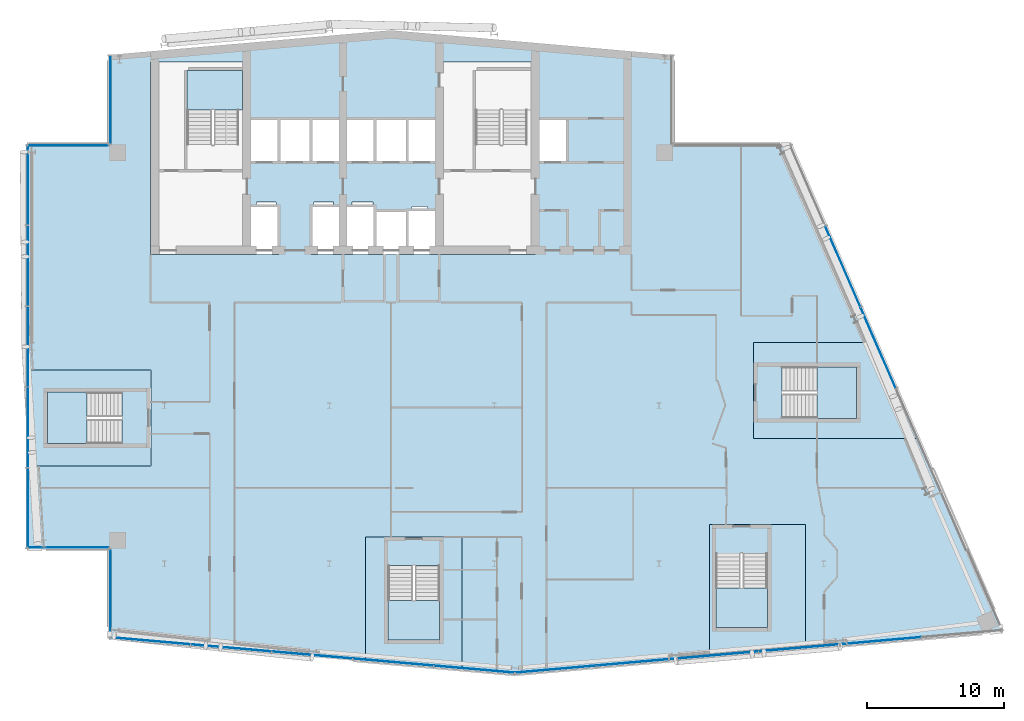
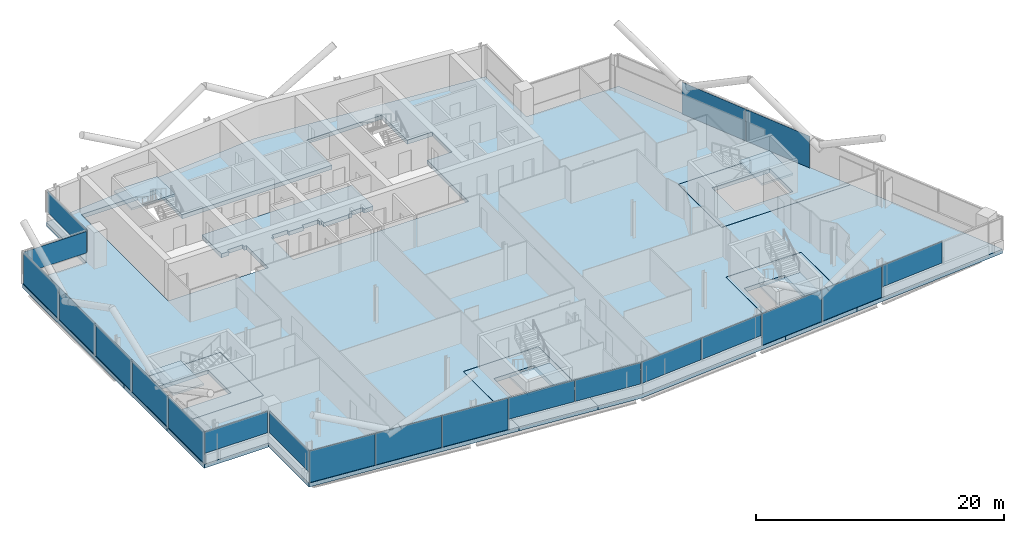
# One storey, part 13 of 28: 21 plates, 10 slabs, 13 elements without a shape of their own.
"""IFC4 building model written with IfcOpenShell, lengths in metres."""

from ifc_helpers import new_model, si_unit, direction, frame, origin, origin_2d, place, context, subcontext, project, spatial, polyline, rectangle, outline, extrude, material, layer, layer_set, type_object, element, aggregate, save


model = new_model("IFC4")

# Units and contexts
model_context = context("Model", 3, precision=1e-05, world=origin(), true_north=direction((0.0, 1.0)))
body_context = subcontext(model_context, "Body", "Model", "MODEL_VIEW")
ifc_project = project(units=[si_unit("LENGTHUNIT", "METRE"), si_unit("AREAUNIT", "SQUARE_METRE"), si_unit("VOLUMEUNIT", "CUBIC_METRE"), si_unit("PLANEANGLEUNIT", "RADIAN"), si_unit("MASSUNIT", "GRAM", prefix="KILO")], contexts=[model_context])

# Site, building, storey
site_placement = place(None, origin())
site = spatial("IfcSite", under=ifc_project, at=site_placement, CompositionType="ELEMENT")
building_placement = place(site_placement, origin())
building = spatial("IfcBuilding", under=site, at=building_placement, Name="Wharfspan Tower", CompositionType="ELEMENT")
storey_placement = place(building_placement, frame((0.0, 0.0, 253.899902)))
storey = spatial("IfcBuildingStorey", under=building, at=storey_placement, Name="L64", CompositionType="ELEMENT", Elevation=253.899902)

# Curtain wall, plates
ifc_material_1 = material(Name="Aluminium 6063-T6", Category="aluminium")
curtain_wall_type_1 = type_object("IfcCurtainWallType", Name="CURTAIN WALL FACETED FRONT", PredefinedType="NOTDEFINED", material=ifc_material_1)
curtain_wall_1_placement = place(storey_placement, origin())
curtain_wall_1 = element("IfcCurtainWall", 1, at=curtain_wall_1_placement, inside=storey, type_object=curtain_wall_type_1, Name="Curtain wall S1", PredefinedType="NOTDEFINED")
ifc_material_2 = material(Name="Glass clear low-iron double glazing", Category="glass")
ifc_layer_1 = layer(ifc_material_2, 0.040039)
ifc_layer_set_1 = layer_set([ifc_layer_1], Name="Glass clear low-iron double glazing")
plate_type_1 = type_object("IfcPlateType", Name="GLASS PANEL FACETED FRONT 40", PredefinedType="CURTAIN_PANEL", material=ifc_layer_set_1)
plate_1_placement = place(storey_placement, frame((40.655273, 4.328125, 1.0), z_axis=(0.0, 0.0, 1.0), x_axis=(0.996197, -0.087156, 0.0)))
plate_1 = element("IfcPlate", 2, at=plate_1_placement, type_object=plate_type_1, Name="Curtain wall S1 panel 4", PredefinedType="CURTAIN_PANEL", context=body_context, shape_type="SweptSolid", body=[
    extrude(rectangle(XDim=5.862549, YDim=0.040039, at=origin_2d()), origin(), (0.0, 0.0, 1.0), 2.120117),
])
plate_2_placement = place(storey_placement, frame((46.540283, 3.813232, 1.0), z_axis=(0.0, 0.0, 1.0), x_axis=(0.996197, -0.087156, 0.0)))
plate_2 = element("IfcPlate", 3, at=plate_2_placement, type_object=plate_type_1, Name="Curtain wall S1 panel 5", PredefinedType="CURTAIN_PANEL", context=body_context, shape_type="SweptSolid", body=[
    extrude(rectangle(XDim=5.83252, YDim=0.040039, at=origin_2d()), origin(), (0.0, 0.0, 1.0), 2.120117),
])

curtain_wall_2_placement = place(storey_placement, origin())
curtain_wall_2 = element("IfcCurtainWall", 4, at=curtain_wall_2_placement, inside=storey, type_object=curtain_wall_type_1, Name="Curtain wall S2", PredefinedType="NOTDEFINED")
plate_3_placement = place(storey_placement, frame((52.468018, 3.813965, 1.0), z_axis=(0.0, 0.0, 1.0), x_axis=(0.996197, 0.087156, 0.0)))
plate_3 = element("IfcPlate", 5, at=plate_3_placement, type_object=plate_type_1, Name="Curtain wall S2 panel 1", PredefinedType="CURTAIN_PANEL", context=body_context, shape_type="SweptSolid", body=[
    extrude(rectangle(XDim=5.849365, YDim=0.040039, at=origin_2d()), origin(), (0.0, 0.0, 1.0), 2.120117),
])
plate_4_placement = place(storey_placement, frame((58.369873, 4.330322, 1.0), z_axis=(0.0, 0.0, 1.0), x_axis=(0.996197, 0.087156, 0.0)))
plate_4 = element("IfcPlate", 6, at=plate_4_placement, type_object=plate_type_1, Name="Curtain wall S2 panel 2", PredefinedType="CURTAIN_PANEL", context=body_context, shape_type="SweptSolid", body=[
    extrude(rectangle(XDim=5.87915, YDim=0.040039, at=origin_2d()), origin(), (0.0, 0.0, 1.0), 2.120117),
])
plate_5_placement = place(storey_placement, frame((76.119873, 5.883301, 1.0), z_axis=(0.0, 0.0, 1.0), x_axis=(0.996197, 0.087156, 0.0)))
plate_5 = element("IfcPlate", 7, at=plate_5_placement, type_object=plate_type_1, Name="Curtain wall S2 panel 5", PredefinedType="CURTAIN_PANEL", context=body_context, shape_type="SweptSolid", body=[
    extrude(rectangle(XDim=5.87915, YDim=0.040039, at=origin_2d()), origin(), (0.0, 0.0, 1.0), 2.120117),
])

# Curtain wall, plate
curtain_wall_type_2 = type_object("IfcCurtainWallType", Name="CURTAIN WALL PROW AND END", PredefinedType="NOTDEFINED", material=ifc_material_1)
curtain_wall_3_placement = place(storey_placement, origin())
curtain_wall_3 = element("IfcCurtainWall", 8, at=curtain_wall_3_placement, inside=storey, type_object=curtain_wall_type_2, Name="Curtain wall NRW-V", PredefinedType="NOTDEFINED")
ifc_layer_2 = layer(ifc_material_2, 0.040039)
ifc_layer_set_2 = layer_set([ifc_layer_2], Name="Glass clear low-iron double glazing")
plate_type_2 = type_object("IfcPlateType", Name="GLASS PANEL PROW AND END 40", PredefinedType="CURTAIN_PANEL", material=ifc_layer_set_2)
plate_6_placement = place(storey_placement, frame((20.080078, 45.262451, 1.0), z_axis=(0.0, 0.0, 1.0), x_axis=(0.0, -1.0, 0.0)))
plate_6 = element("IfcPlate", 9, at=plate_6_placement, type_object=plate_type_2, Name="Curtain wall NRW-V panel 1", PredefinedType="CURTAIN_PANEL", context=body_context, shape_type="SweptSolid", body=[
    extrude(rectangle(XDim=6.405029, YDim=0.040039, at=origin_2d()), origin(), (0.0, 0.0, 1.0), 2.120117),
])
aggregate(curtain_wall_3, [plate_6])

curtain_wall_4_placement = place(storey_placement, origin())
curtain_wall_4 = element("IfcCurtainWall", 10, at=curtain_wall_4_placement, inside=storey, type_object=curtain_wall_type_2, Name="Curtain wall NRW-H", PredefinedType="NOTDEFINED")
plate_7_placement = place(storey_placement, frame((17.0, 41.919922, 1.0), z_axis=(0.0, 0.0, 1.0), x_axis=(-1.0, 0.0, 0.0)))
plate_7 = element("IfcPlate", 11, at=plate_7_placement, type_object=plate_type_2, Name="Curtain wall NRW-H panel 1", PredefinedType="CURTAIN_PANEL", context=body_context, shape_type="SweptSolid", body=[
    extrude(rectangle(XDim=5.879883, YDim=0.040039, at=origin_2d()), origin(), (0.0, 0.0, 1.0), 2.120117),
])
aggregate(curtain_wall_4, [plate_7])

curtain_wall_5_placement = place(storey_placement, origin())
curtain_wall_5 = element("IfcCurtainWall", 12, at=curtain_wall_5_placement, inside=storey, type_object=curtain_wall_type_2, Name="Curtain wall NFW-H", PredefinedType="NOTDEFINED")
plate_8_placement = place(storey_placement, frame((17.0, 12.679932, 1.0), z_axis=(0.0, 0.0, 1.0), x_axis=(1.0, 0.0, 0.0)))
plate_8 = element("IfcPlate", 13, at=plate_8_placement, type_object=plate_type_2, Name="Curtain wall NFW-H panel 1", PredefinedType="CURTAIN_PANEL", context=body_context, shape_type="SweptSolid", body=[
    extrude(rectangle(XDim=5.879883, YDim=0.040039, at=origin_2d()), origin(), (0.0, 0.0, 1.0), 2.120117),
])
aggregate(curtain_wall_5, [plate_8])

curtain_wall_6_placement = place(storey_placement, origin())
curtain_wall_6 = element("IfcCurtainWall", 14, at=curtain_wall_6_placement, inside=storey, type_object=curtain_wall_type_2, Name="Curtain wall NFW-V", PredefinedType="NOTDEFINED")
plate_9_placement = place(storey_placement, frame((20.080078, 9.337646, 1.0), z_axis=(0.0, 0.0, 1.0), x_axis=(0.0, -1.0, 0.0)))
plate_9 = element("IfcPlate", 15, at=plate_9_placement, type_object=plate_type_2, Name="Curtain wall NFW-V panel 1", PredefinedType="CURTAIN_PANEL", context=body_context, shape_type="SweptSolid", body=[
    extrude(rectangle(XDim=6.405029, YDim=0.040039, at=origin_2d()), origin(), (0.0, 0.0, 1.0), 2.120117),
])
aggregate(curtain_wall_6, [plate_9])

# Plate
ifc_material_3 = material(Name="Aluminium composite opaque insulated panel", Category="aluminium")
ifc_layer_3 = layer(ifc_material_3, 0.040039)
ifc_layer_set_3 = layer_set([ifc_layer_3], Name="Aluminium composite opaque insulated panel")
plate_type_3 = type_object("IfcPlateType", Name="INFILL PANEL FACETED FRONT OPAQUE 40", PredefinedType="SHEET", material=ifc_layer_set_3)
plate_10_placement = place(storey_placement, frame((22.970215, 5.875488, 0.0), z_axis=(0.0, 0.0, 1.0), x_axis=(0.996197, -0.087156, 0.0)))
plate_10 = element("IfcPlate", 16, at=plate_10_placement, type_object=plate_type_3, Name="Curtain wall S1 panel 1", PredefinedType="SHEET", context=body_context, shape_type="SweptSolid", body=[
    extrude(rectangle(XDim=5.83252, YDim=0.040039, at=origin_2d()), origin(), (0.0, 0.0, 1.0), 3.120117),
])

plate_11_placement = place(storey_placement, frame((28.855225, 5.360596, 0.0), z_axis=(0.0, 0.0, 1.0), x_axis=(0.996197, -0.087156, 0.0)))
plate_11 = element("IfcPlate", 17, at=plate_11_placement, type_object=plate_type_3, Name="Curtain wall S1 panel 2", PredefinedType="SHEET", context=body_context, shape_type="SweptSolid", body=[
    extrude(rectangle(XDim=5.862549, YDim=0.040039, at=origin_2d()), origin(), (0.0, 0.0, 1.0), 3.120117),
])

plate_12_placement = place(storey_placement, frame((34.755127, 4.844482, 0.0), z_axis=(0.0, 0.0, 1.0), x_axis=(0.996197, -0.087156, 0.0)))
plate_12 = element("IfcPlate", 18, at=plate_12_placement, type_object=plate_type_3, Name="Curtain wall S1 panel 3", PredefinedType="SHEET", context=body_context, shape_type="SweptSolid", body=[
    extrude(rectangle(XDim=5.862549, YDim=0.040039, at=origin_2d()), origin(), (0.0, 0.0, 1.0), 3.120117),
])

aggregate(curtain_wall_1, [plate_10, plate_11, plate_12, plate_1, plate_2])

plate_13_placement = place(storey_placement, frame((64.286377, 4.848145, 0.0), z_axis=(0.0, 0.0, 1.0), x_axis=(0.996197, 0.087156, 0.0)))
plate_13 = element("IfcPlate", 19, at=plate_13_placement, type_object=plate_type_3, Name="Curtain wall S2 panel 3", PredefinedType="SHEET", context=body_context, shape_type="SweptSolid", body=[
    extrude(rectangle(XDim=5.87915, YDim=0.040039, at=origin_2d()), origin(), (0.0, 0.0, 1.0), 3.120117),
])

plate_14_placement = place(storey_placement, frame((70.203125, 5.365723, 0.0), z_axis=(0.0, 0.0, 1.0), x_axis=(0.996197, 0.087156, 0.0)))
plate_14 = element("IfcPlate", 20, at=plate_14_placement, type_object=plate_type_3, Name="Curtain wall S2 panel 4", PredefinedType="SHEET", context=body_context, shape_type="SweptSolid", body=[
    extrude(rectangle(XDim=5.87915, YDim=0.040039, at=origin_2d()), origin(), (0.0, 0.0, 1.0), 3.120117),
])

aggregate(curtain_wall_2, [plate_3, plate_4, plate_13, plate_14, plate_5])

# Curtain wall, plates
curtain_wall_7_placement = place(storey_placement, origin())
curtain_wall_7 = element("IfcCurtainWall", 21, at=curtain_wall_7_placement, inside=storey, type_object=curtain_wall_type_2, Name="Curtain wall E", PredefinedType="NOTDEFINED")
ifc_layer_4 = layer(ifc_material_3, 0.040039)
ifc_layer_set_4 = layer_set([ifc_layer_4], Name="Aluminium composite opaque insulated panel")
plate_type_4 = type_object("IfcPlateType", Name="INFILL PANEL PROW AND END OPAQUE 40", PredefinedType="SHEET", material=ifc_layer_set_4)
plate_15_placement = place(storey_placement, frame((75.948486, 27.218018, 0.0), z_axis=(0.0, 0.0, 1.0), x_axis=(-0.398727, 0.917072, 0.0)))
plate_15 = element("IfcPlate", 22, at=plate_15_placement, type_object=plate_type_4, Name="Curtain wall E panel 4", PredefinedType="SHEET", context=body_context, shape_type="SweptSolid", body=[
    extrude(rectangle(XDim=6.373535, YDim=0.040039, at=origin_2d()), origin(), (0.0, 0.0, 1.0), 3.120117),
])
plate_16_placement = place(storey_placement, frame((73.383057, 33.118164, 0.0), z_axis=(0.0, 0.0, 1.0), x_axis=(-0.398727, 0.917072, 0.0)))
plate_16 = element("IfcPlate", 23, at=plate_16_placement, type_object=plate_type_4, Name="Curtain wall E panel 5", PredefinedType="SHEET", context=body_context, shape_type="SweptSolid", body=[
    extrude(rectangle(XDim=6.373535, YDim=0.040039, at=origin_2d()), origin(), (0.0, 0.0, 1.0), 3.120117),
])
aggregate(curtain_wall_7, [plate_15, plate_16])

curtain_wall_8_placement = place(storey_placement, origin())
curtain_wall_8 = element("IfcCurtainWall", 24, at=curtain_wall_8_placement, inside=storey, type_object=curtain_wall_type_2, Name="Curtain wall W", PredefinedType="NOTDEFINED")
plate_17_placement = place(storey_placement, frame((14.080078, 39.044922, 0.0), z_axis=(0.0, 0.0, 1.0), x_axis=(0.0, -1.0, 0.0)))
plate_17 = element("IfcPlate", 25, at=plate_17_placement, type_object=plate_type_4, Name="Curtain wall W panel 1", PredefinedType="SHEET", context=body_context, shape_type="SweptSolid", body=[
    extrude(rectangle(XDim=5.790039, YDim=0.040039, at=origin_2d()), origin(), (0.0, 0.0, 1.0), 3.120117),
])
plate_18_placement = place(storey_placement, frame((14.080078, 33.179932, 0.0), z_axis=(0.0, 0.0, 1.0), x_axis=(0.0, -1.0, 0.0)))
plate_18 = element("IfcPlate", 26, at=plate_18_placement, type_object=plate_type_4, Name="Curtain wall W panel 2", PredefinedType="SHEET", context=body_context, shape_type="SweptSolid", body=[
    extrude(rectangle(XDim=5.820068, YDim=0.040039, at=origin_2d()), origin(), (0.0, 0.0, 1.0), 3.120117),
])
plate_19_placement = place(storey_placement, frame((14.080078, 27.300049, 0.0), z_axis=(0.0, 0.0, 1.0), x_axis=(0.0, -1.0, 0.0)))
plate_19 = element("IfcPlate", 27, at=plate_19_placement, type_object=plate_type_4, Name="Curtain wall W panel 3", PredefinedType="SHEET", context=body_context, shape_type="SweptSolid", body=[
    extrude(rectangle(XDim=5.820068, YDim=0.040039, at=origin_2d()), origin(), (0.0, 0.0, 1.0), 3.120117),
])
plate_20_placement = place(storey_placement, frame((14.080078, 21.419922, 0.0), z_axis=(0.0, 0.0, 1.0), x_axis=(0.0, -1.0, 0.0)))
plate_20 = element("IfcPlate", 28, at=plate_20_placement, type_object=plate_type_4, Name="Curtain wall W panel 4", PredefinedType="SHEET", context=body_context, shape_type="SweptSolid", body=[
    extrude(rectangle(XDim=5.820068, YDim=0.040039, at=origin_2d()), origin(), (0.0, 0.0, 1.0), 3.120117),
])
plate_21_placement = place(storey_placement, frame((14.080078, 15.554932, 0.0), z_axis=(0.0, 0.0, 1.0), x_axis=(0.0, -1.0, 0.0)))
plate_21 = element("IfcPlate", 29, at=plate_21_placement, type_object=plate_type_4, Name="Curtain wall W panel 5", PredefinedType="SHEET", context=body_context, shape_type="SweptSolid", body=[
    extrude(rectangle(XDim=5.790039, YDim=0.040039, at=origin_2d()), origin(), (0.0, 0.0, 1.0), 3.120117),
])
aggregate(curtain_wall_8, [plate_17, plate_18, plate_19, plate_20, plate_21])

# Slabs
ifc_material_4 = material(Name="Concrete C40/50", Category="concrete")
ifc_layer_5 = layer(ifc_material_4, 0.399902)
ifc_layer_set_5 = layer_set([ifc_layer_5], Name="Concrete C40/50")
slab_type_1 = type_object("IfcSlabType", Name="Post-tensioned flat slab 400", PredefinedType="FLOOR", material=ifc_layer_set_5)
slab_1_placement = place(storey_placement, frame((0.0, 0.0, -0.400146)))
element("IfcSlab", 30, at=slab_1_placement, inside=storey, type_object=slab_type_1, Name="Floor slab L64", PredefinedType="FLOOR", context=body_context, shape_type="SweptSolid", body=[
    extrude(outline(polyline([(38.64209, 4.444092), (38.64209, 13.453125), (45.662109, 13.453125), (45.662109, 3.829834), (49.5, 3.494141), (63.658691, 4.73291), (63.658691, 14.356201), (70.678711, 14.356201), (70.678711, 5.347168), (85.0, 6.600098), (78.91748, 20.590088), (66.859619, 20.590088), (66.859619, 27.610107), (75.865234, 27.610107), (69.608643, 42.0), (61.0, 42.0), (61.0, 48.524902), (40.5, 50.318359), (20.0, 48.524902), (20.0, 42.0), (14.0, 42.0), (14.0, 25.610107), (23.01001, 25.610107), (23.01001, 18.590088), (14.0, 18.590088), (14.0, 12.600098), (20.0, 12.600098), (20.0, 6.075195), (38.64209, 4.444092)]), holes=[polyline([(32.126709, 37.560059), (32.343262, 37.560059), (32.343262, 33.98999), (22.98999, 33.98999), (22.98999, 48.01001), (30.01001, 48.01001), (30.01001, 43.909912), (43.98999, 43.909912), (43.98999, 48.01001), (51.01001, 48.01001), (51.01001, 43.909912), (53.343262, 43.909912), (53.343262, 40.689941), (51.01001, 40.689941), (51.01001, 33.98999), (34.656738, 33.98999), (34.656738, 37.560059), (34.873291, 37.560059), (34.873291, 37.810059), (36.293213, 37.810059), (36.293213, 37.560059), (37.666748, 37.560059), (37.666748, 37.810059), (39.166748, 37.810059), (39.166748, 37.560059), (39.343262, 37.560059), (39.343262, 37.209961), (41.656738, 37.209961), (41.656738, 37.26001), (42.023193, 37.26001), (42.023193, 37.51001), (43.143311, 37.51001), (43.143311, 37.26001), (43.98999, 37.26001), (43.98999, 40.689941), (30.01001, 40.689941), (30.01001, 37.560059), (30.706787, 37.560059), (30.706787, 37.810059), (32.126709, 37.810059), (32.126709, 37.560059)])]), origin(), (0.0, 0.0, 1.0), 0.400146),
])
slab_2_placement = place(storey_placement, frame((0.0, 0.0, -0.400146)))
element("IfcSlab", 31, at=slab_2_placement, inside=storey, type_object=slab_type_1, Name="Core floor slab L64 part 1", PredefinedType="FLOOR", context=body_context, shape_type="SweptSolid", body=[
    extrude(outline(polyline([(23.0, 19.925049), (23.0, 24.274902), (23.0, 25.600098), (14.0, 25.600098), (14.0, 18.600098), (23.0, 18.600098), (23.0, 19.925049)]), holes=[polyline([(20.899902, 23.977051), (20.900146, 23.977051), (20.900391, 23.977051), (20.900635, 23.976807), (20.900879, 23.976807), (20.900879, 23.976807), (20.901123, 23.976807), (20.901367, 23.976562), (20.901367, 23.976318), (20.901611, 23.976318), (20.901611, 23.976074), (20.901855, 23.97583), (20.901855, 23.97583), (20.901855, 23.975586), (20.9021, 23.975342), (20.9021, 23.975098), (20.9021, 23.975098), (20.9021, 20.225098), (20.9021, 20.224854), (20.9021, 20.224609), (20.901855, 20.224365), (20.901855, 20.224121), (20.901855, 20.224121), (20.901611, 20.223877), (20.901611, 20.223633), (20.901367, 20.223633), (20.901367, 20.223389), (20.901123, 20.223389), (20.900879, 20.223145), (20.900879, 20.223145), (20.900635, 20.223145), (20.900391, 20.2229), (20.900146, 20.2229), (20.899902, 20.2229), (15.5, 20.2229), (15.499756, 20.2229), (15.499512, 20.2229), (15.499512, 20.223145), (15.499268, 20.223145), (15.499023, 20.223145), (15.498779, 20.223389), (15.498779, 20.223389), (15.498535, 20.223633), (15.498535, 20.223633), (15.498291, 20.223877), (15.498291, 20.224121), (15.498291, 20.224121), (15.498047, 20.224365), (15.498047, 20.224609), (15.498047, 20.224854), (15.498047, 20.225098), (15.498047, 23.975098), (15.498047, 23.975098), (15.498047, 23.975342), (15.498047, 23.975586), (15.498291, 23.97583), (15.498291, 23.97583), (15.498291, 23.976074), (15.498535, 23.976318), (15.498535, 23.976318), (15.498779, 23.976562), (15.498779, 23.976807), (15.499023, 23.976807), (15.499268, 23.976807), (15.499512, 23.976807), (15.499512, 23.977051), (15.499756, 23.977051), (15.5, 23.977051), (20.899902, 23.977051)])]), origin(), (0.0, 0.0, 1.0), 0.400146),
])
slab_3_placement = place(storey_placement, frame((0.0, 0.0, -0.400146)))
element("IfcSlab", 32, at=slab_3_placement, inside=storey, type_object=slab_type_1, Name="Core floor slab L64 part 3", PredefinedType="FLOOR", context=body_context, shape_type="SweptSolid", body=[
    extrude(outline(polyline([(44.327148, 13.443115), (39.977051, 13.443115), (38.6521, 13.443115), (38.6521, 4.443115), (45.6521, 3.830811), (45.6521, 13.443115), (44.327148, 13.443115)]), holes=[polyline([(40.275146, 11.343262), (40.275146, 11.343506), (40.275146, 11.343506), (40.275146, 11.34375), (40.275391, 11.343994), (40.275391, 11.344238), (40.275391, 11.344238), (40.275635, 11.344482), (40.275635, 11.344482), (40.275879, 11.344727), (40.275879, 11.344971), (40.276123, 11.344971), (40.276367, 11.345215), (40.276611, 11.345215), (40.276611, 11.345215), (40.276855, 11.345215), (40.2771, 11.345215), (44.0271, 11.345215), (44.027344, 11.345215), (44.027588, 11.345215), (44.027588, 11.345215), (44.027832, 11.345215), (44.028076, 11.344971), (44.02832, 11.344971), (44.02832, 11.344727), (44.028564, 11.344482), (44.028809, 11.344482), (44.028809, 11.344238), (44.028809, 11.344238), (44.029053, 11.343994), (44.029053, 11.34375), (44.029053, 11.343506), (44.029053, 11.343506), (44.029053, 11.343262), (44.029053, 5.943115), (44.029053, 5.943115), (44.029053, 5.942871), (44.029053, 5.942627), (44.029053, 5.942383), (44.028809, 5.942383), (44.028809, 5.942139), (44.028809, 5.941895), (44.028564, 5.941895), (44.02832, 5.94165), (44.02832, 5.94165), (44.028076, 5.941406), (44.027832, 5.941406), (44.027588, 5.941406), (44.027588, 5.941406), (44.027344, 5.941162), (44.0271, 5.941162), (40.2771, 5.941162), (40.276855, 5.941162), (40.276611, 5.941406), (40.276611, 5.941406), (40.276367, 5.941406), (40.276123, 5.941406), (40.275879, 5.94165), (40.275879, 5.94165), (40.275635, 5.941895), (40.275635, 5.941895), (40.275391, 5.942139), (40.275391, 5.942383), (40.275391, 5.942383), (40.275146, 5.942627), (40.275146, 5.942871), (40.275146, 5.943115), (40.275146, 5.943115), (40.275146, 11.343262)])]), origin(), (0.0, 0.0, 1.0), 0.400146),
])
slab_4_placement = place(storey_placement, frame((0.0, 0.0, -0.400146)))
element("IfcSlab", 33, at=slab_4_placement, inside=storey, type_object=slab_type_1, Name="Core floor slab L64 part 4", PredefinedType="FLOOR", context=body_context, shape_type="SweptSolid", body=[
    extrude(outline(polyline([(70.668701, 14.346191), (68.193848, 14.346191), (63.84375, 14.346191), (63.668701, 14.346191), (63.668701, 4.733887), (70.668701, 5.346191), (70.668701, 14.346191)]), holes=[polyline([(64.141846, 12.246094), (64.141846, 12.246338), (64.141846, 12.246582), (64.141846, 12.246826), (64.14209, 12.246826), (64.14209, 12.24707), (64.14209, 12.247314), (64.142334, 12.247559), (64.142334, 12.247559), (64.142578, 12.247803), (64.142578, 12.247803), (64.142822, 12.247803), (64.143066, 12.248047), (64.143311, 12.248047), (64.143311, 12.248047), (64.143555, 12.248291), (64.143799, 12.248291), (67.893799, 12.248291), (67.894043, 12.248291), (67.894287, 12.248047), (67.894287, 12.248047), (67.894531, 12.248047), (67.894775, 12.247803), (67.89502, 12.247803), (67.89502, 12.247803), (67.895264, 12.247559), (67.895508, 12.247559), (67.895508, 12.247314), (67.895508, 12.24707), (67.895752, 12.246826), (67.895752, 12.246826), (67.895752, 12.246582), (67.895752, 12.246338), (67.895752, 12.246094), (67.895752, 6.846191), (67.895752, 6.845947), (67.895752, 6.845703), (67.895752, 6.845703), (67.895752, 6.845459), (67.895508, 6.845215), (67.895508, 6.845215), (67.895508, 6.844971), (67.895264, 6.844727), (67.89502, 6.844482), (67.89502, 6.844482), (67.894775, 6.844482), (67.894531, 6.844238), (67.894287, 6.844238), (67.894287, 6.844238), (67.894043, 6.844238), (67.893799, 6.844238), (64.143799, 6.844238), (64.143555, 6.844238), (64.143311, 6.844238), (64.143311, 6.844238), (64.143066, 6.844238), (64.142822, 6.844482), (64.142578, 6.844482), (64.142578, 6.844482), (64.142334, 6.844727), (64.142334, 6.844971), (64.14209, 6.845215), (64.14209, 6.845215), (64.14209, 6.845459), (64.141846, 6.845703), (64.141846, 6.845703), (64.141846, 6.845947), (64.141846, 6.846191), (64.141846, 12.246094)])]), origin(), (0.0, 0.0, 1.0), 0.400146),
])
slab_5_placement = place(storey_placement, frame((0.0, 0.0, -0.400146)))
element("IfcSlab", 34, at=slab_5_placement, inside=storey, type_object=slab_type_1, Name="Core floor slab L64 part 5", PredefinedType="FLOOR", context=body_context, shape_type="SweptSolid", body=[
    extrude(outline(polyline([(75.869629, 27.600098), (66.869629, 27.600098), (66.869629, 26.125), (66.869629, 21.774902), (66.869629, 20.600098), (78.913086, 20.600098), (75.869629, 27.600098)]), holes=[polyline([(68.967529, 25.824951), (68.967529, 25.825195), (68.967529, 25.825439), (68.967773, 25.825684), (68.967773, 25.825684), (68.967773, 25.825928), (68.968018, 25.826172), (68.968018, 25.826416), (68.968262, 25.826416), (68.968262, 25.826416), (68.968506, 25.82666), (68.968506, 25.826904), (68.96875, 25.826904), (68.968994, 25.826904), (68.969238, 25.826904), (68.969482, 25.826904), (68.969482, 25.826904), (74.369629, 25.826904), (74.369873, 25.826904), (74.370117, 25.826904), (74.370117, 25.826904), (74.370361, 25.826904), (74.370605, 25.826904), (74.370605, 25.82666), (74.37085, 25.826416), (74.371094, 25.826416), (74.371094, 25.826416), (74.371094, 25.826172), (74.371338, 25.825928), (74.371338, 25.825684), (74.371582, 25.825684), (74.371582, 25.825439), (74.371582, 25.825195), (74.371582, 25.824951), (74.371582, 22.074951), (74.371582, 22.074707), (74.371582, 22.074707), (74.371582, 22.074463), (74.371338, 22.074219), (74.371338, 22.074219), (74.371094, 22.073975), (74.371094, 22.07373), (74.371094, 22.073486), (74.37085, 22.073486), (74.370605, 22.073242), (74.370605, 22.073242), (74.370361, 22.073242), (74.370117, 22.072998), (74.370117, 22.072998), (74.369873, 22.072998), (74.369629, 22.072998), (68.969482, 22.072998), (68.969482, 22.072998), (68.969238, 22.072998), (68.968994, 22.072998), (68.96875, 22.073242), (68.968506, 22.073242), (68.968506, 22.073242), (68.968262, 22.073486), (68.968262, 22.073486), (68.968018, 22.07373), (68.968018, 22.073975), (68.967773, 22.074219), (68.967773, 22.074219), (68.967773, 22.074463), (68.967529, 22.074707), (68.967529, 22.074707), (68.967529, 22.074951), (68.967529, 25.824951)])]), origin(), (0.0, 0.0, 1.0), 0.400146),
])

# Stair, slab
stair_type = type_object("IfcStairType", Name="Half-turn stair 20 risers 180 mm", PredefinedType="HALF_TURN_STAIR", material=ifc_material_4)
stair_1_placement = place(storey_placement, origin())
stair_1 = element("IfcStair", 35, at=stair_1_placement, inside=storey, type_object=stair_type, Name="L64 stair ST1", PredefinedType="HALF_TURN_STAIR")
ifc_layer_6 = layer(ifc_material_4, 0.199951)
ifc_layer_set_6 = layer_set([ifc_layer_6], Name="Concrete C40/50")
slab_type_2 = type_object("IfcSlabType", Name="Stair landing 200", PredefinedType="LANDING", material=ifc_layer_set_6)
slab_6_placement = place(storey_placement, frame((0.0, 0.0, 1.599854)))
slab_6 = element("IfcSlab", 36, at=slab_6_placement, type_object=slab_type_2, Name="ST1 landing 1", PredefinedType="LANDING", context=body_context, shape_type="SweptSolid", body=[
    extrude(outline(polyline([(25.649902, 44.52002), (29.699951, 44.52002), (29.699951, 47.399902), (25.649902, 47.399902), (25.649902, 44.52002)])), origin(), (0.0, 0.0, 1.0), 0.200195),
])
aggregate(stair_1, [slab_6])

stair_2_placement = place(storey_placement, origin())
stair_2 = element("IfcStair", 37, at=stair_2_placement, inside=storey, type_object=stair_type, Name="L64 stair ST3", PredefinedType="HALF_TURN_STAIR")
slab_7_placement = place(storey_placement, frame((0.0, 0.0, 1.599854)))
slab_7 = element("IfcSlab", 38, at=slab_7_placement, type_object=slab_type_2, Name="ST3 landing 1", PredefinedType="LANDING", context=body_context, shape_type="SweptSolid", body=[
    extrude(outline(polyline([(18.379883, 23.975098), (15.5, 23.975098), (15.5, 20.225098), (18.379883, 20.225098), (18.379883, 23.975098)])), origin(), (0.0, 0.0, 1.0), 0.200195),
])
aggregate(stair_2, [slab_7])

stair_3_placement = place(storey_placement, origin())
stair_3 = element("IfcStair", 39, at=stair_3_placement, inside=storey, type_object=stair_type, Name="L64 stair ST4", PredefinedType="HALF_TURN_STAIR")
slab_8_placement = place(storey_placement, frame((0.0, 0.0, 1.599854)))
slab_8 = element("IfcSlab", 40, at=slab_8_placement, type_object=slab_type_2, Name="ST4 landing 1", PredefinedType="LANDING", context=body_context, shape_type="SweptSolid", body=[
    extrude(outline(polyline([(40.2771, 8.823242), (40.2771, 5.943115), (44.0271, 5.943115), (44.0271, 8.823242), (40.2771, 8.823242)])), origin(), (0.0, 0.0, 1.0), 0.200195),
])
aggregate(stair_3, [slab_8])

stair_4_placement = place(storey_placement, origin())
stair_4 = element("IfcStair", 41, at=stair_4_placement, inside=storey, type_object=stair_type, Name="L64 stair ST5", PredefinedType="HALF_TURN_STAIR")
slab_9_placement = place(storey_placement, frame((0.0, 0.0, 1.599854)))
slab_9 = element("IfcSlab", 42, at=slab_9_placement, type_object=slab_type_2, Name="ST5 landing 1", PredefinedType="LANDING", context=body_context, shape_type="SweptSolid", body=[
    extrude(outline(polyline([(64.143799, 9.726074), (64.143799, 6.846191), (67.893799, 6.846191), (67.893799, 9.726074), (64.143799, 9.726074)])), origin(), (0.0, 0.0, 1.0), 0.200195),
])
aggregate(stair_4, [slab_9])

stair_5_placement = place(storey_placement, origin())
stair_5 = element("IfcStair", 43, at=stair_5_placement, inside=storey, type_object=stair_type, Name="L64 stair ST6", PredefinedType="HALF_TURN_STAIR")
slab_10_placement = place(storey_placement, frame((0.0, 0.0, 1.599854)))
slab_10 = element("IfcSlab", 44, at=slab_10_placement, type_object=slab_type_2, Name="ST6 landing 1", PredefinedType="LANDING", context=body_context, shape_type="SweptSolid", body=[
    extrude(outline(polyline([(71.489502, 22.074951), (74.369629, 22.074951), (74.369629, 25.824951), (71.489502, 25.824951), (71.489502, 22.074951)])), origin(), (0.0, 0.0, 1.0), 0.200195),
])
aggregate(stair_5, [slab_10])

save(model, "model.ifc")
